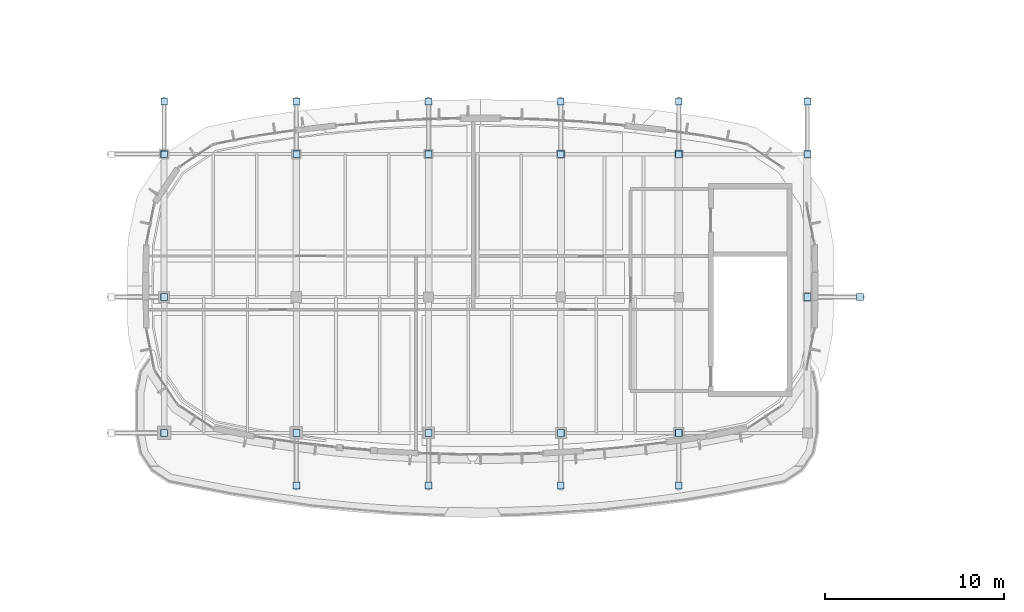
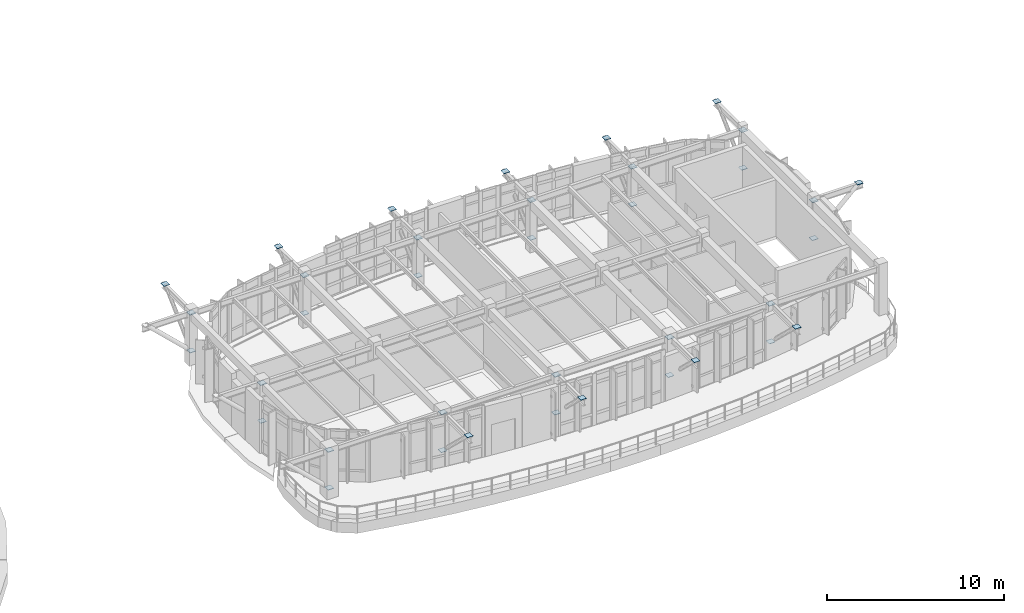
# One storey, part 79 of 105: 37 plates.
"""IFC4 building model written with IfcOpenShell, lengths in metres."""

from ifc_helpers import new_model, si_unit, direction, frame, origin, origin_2d, place, context, subcontext, project, spatial, rectangle, extrude, material, layer, layer_set, type_object, element, save


model = new_model("IFC4")

# Units and contexts
model_context = context("Model", 3, precision=1e-05, world=origin(), true_north=direction((0.0, 1.0)))
body_context = subcontext(model_context, "Body", "Model", "MODEL_VIEW")
ifc_project = project(units=[si_unit("LENGTHUNIT", "METRE"), si_unit("AREAUNIT", "SQUARE_METRE"), si_unit("VOLUMEUNIT", "CUBIC_METRE"), si_unit("PLANEANGLEUNIT", "RADIAN"), si_unit("MASSUNIT", "GRAM", prefix="KILO")], contexts=[model_context])

# Site, building, storey
site_placement = place(None, origin())
site = spatial("IfcSite", under=ifc_project, at=site_placement, CompositionType="ELEMENT")
building_placement = place(site_placement, origin())
building = spatial("IfcBuilding", under=site, at=building_placement, Name="Corveleigh Park Community Centre", CompositionType="ELEMENT")
storey_placement = place(building_placement, frame((0.0, 0.0, 8.699951171875)))
storey = spatial("IfcBuildingStorey", under=building, at=storey_placement, Name="L02", CompositionType="ELEMENT", Elevation=8.699951171875)

# Plates
ifc_material = material(Name="Steel S355", Category="steel")
ifc_layer = layer(ifc_material, 0.028076171875, Name="Steel S355", Category="steel")
ifc_layer_set = layer_set([ifc_layer], Name="Steel S355")
plate_type = type_object("IfcPlateType", Name="PLT-CAP-28", PredefinedType="SHEET", material=ifc_layer_set)
plate_1_placement = place(storey_placement, frame((72.0, 26.800048828125, 3.4521484375), z_axis=(0.0, 0.0, 1.0), x_axis=(1.0, 0.0, 0.0)))
element("IfcPlate", 1, at=plate_1_placement, inside=storey, type_object=plate_type, Name="V3 Pebble Overhang Strut 1-2 Outrigger pier end plate", PredefinedType="SHEET", context=body_context, shape_type="SweptSolid", body=[
    extrude(rectangle(XDim=0.39990234375, YDim=0.39990234375, at=origin_2d()), origin(), (0.0, 0.0, 1.0), 0.028076171875),
])
for number, where, z_axis, x_axis, name in (
    (2, (72.0, 26.800048828125, 0.8359375), (0.0, 0.0, 1.0), (1.0, 0.0, 0.0), "V3 Pebble Overhang Strut 1-2 base cap"),
    (3, (72.0, 29.743896484375, 3.64306640625), (0.0, 0.0, 1.0), (1.0, 0.0, 0.0), "V3 Pebble Overhang Strut 1-2 tip cap"),
):
    element("IfcPlate", number, at=place(storey_placement, frame(where, z_axis=z_axis, x_axis=x_axis)), inside=storey, type_object=plate_type, Name=name, PredefinedType="SHEET", context=body_context, shape_type="SweptSolid", body=[
        extrude(rectangle(XDim=0.3798828125, YDim=0.3798828125, at=origin_2d()), origin(), (0.0, 0.0, 1.0), 0.028076171875),
    ])
plate_2_placement = place(storey_placement, frame((79.39990234375, 11.199951171875, 3.4521484375), z_axis=(0.0, 0.0, 1.0), x_axis=(1.0, 0.0, 0.0)))
element("IfcPlate", 4, at=plate_2_placement, inside=storey, type_object=plate_type, Name="V3 Pebble Overhang Strut 2-0 Outrigger pier end plate", PredefinedType="SHEET", context=body_context, shape_type="SweptSolid", body=[
    extrude(rectangle(XDim=0.39990234375, YDim=0.39990234375, at=origin_2d()), origin(), (0.0, 0.0, 1.0), 0.028076171875),
])
for number, where, z_axis, x_axis, name in (
    (5, (79.39990234375, 11.199951171875, 0.8359375), (0.0, 0.0, 1.0), (1.0, 0.0, 0.0), "V3 Pebble Overhang Strut 2-0 base cap"),
    (6, (79.39990234375, 8.256103515625, 3.64306640625), (0.0, 0.0, 1.0), (1.0, 0.0, 0.0), "V3 Pebble Overhang Strut 2-0 tip cap"),
):
    element("IfcPlate", number, at=place(storey_placement, frame(where, z_axis=z_axis, x_axis=x_axis)), inside=storey, type_object=plate_type, Name=name, PredefinedType="SHEET", context=body_context, shape_type="SweptSolid", body=[
        extrude(rectangle(XDim=0.3798828125, YDim=0.3798828125, at=origin_2d()), origin(), (0.0, 0.0, 1.0), 0.028076171875),
    ])
plate_3_placement = place(storey_placement, frame((79.39990234375, 26.800048828125, 3.4521484375), z_axis=(0.0, 0.0, 1.0), x_axis=(1.0, 0.0, 0.0)))
element("IfcPlate", 7, at=plate_3_placement, inside=storey, type_object=plate_type, Name="V3 Pebble Overhang Strut 2-2 Outrigger pier end plate", PredefinedType="SHEET", context=body_context, shape_type="SweptSolid", body=[
    extrude(rectangle(XDim=0.39990234375, YDim=0.39990234375, at=origin_2d()), origin(), (0.0, 0.0, 1.0), 0.028076171875),
])
for number, where, z_axis, x_axis, name in (
    (8, (79.39990234375, 26.800048828125, 0.8359375), (0.0, 0.0, 1.0), (1.0, 0.0, 0.0), "V3 Pebble Overhang Strut 2-2 base cap"),
    (9, (79.39990234375, 29.743896484375, 3.64306640625), (0.0, 0.0, 1.0), (1.0, 0.0, 0.0), "V3 Pebble Overhang Strut 2-2 tip cap"),
):
    element("IfcPlate", number, at=place(storey_placement, frame(where, z_axis=z_axis, x_axis=x_axis)), inside=storey, type_object=plate_type, Name=name, PredefinedType="SHEET", context=body_context, shape_type="SweptSolid", body=[
        extrude(rectangle(XDim=0.3798828125, YDim=0.3798828125, at=origin_2d()), origin(), (0.0, 0.0, 1.0), 0.028076171875),
    ])
plate_4_placement = place(storey_placement, frame((86.800048828125, 11.199951171875, 3.4521484375), z_axis=(0.0, 0.0, 1.0), x_axis=(1.0, 0.0, 0.0)))
element("IfcPlate", 10, at=plate_4_placement, inside=storey, type_object=plate_type, Name="V3 Pebble Overhang Strut 3-0 Outrigger pier end plate", PredefinedType="SHEET", context=body_context, shape_type="SweptSolid", body=[
    extrude(rectangle(XDim=0.39990234375, YDim=0.39990234375, at=origin_2d()), origin(), (0.0, 0.0, 1.0), 0.028076171875),
])
for number, where, z_axis, x_axis, name in (
    (11, (86.800048828125, 11.199951171875, 0.8359375), (0.0, 0.0, 1.0), (1.0, 0.0, 0.0), "V3 Pebble Overhang Strut 3-0 base cap"),
    (12, (86.800048828125, 8.256103515625, 3.64306640625), (0.0, 0.0, 1.0), (1.0, 0.0, 0.0), "V3 Pebble Overhang Strut 3-0 tip cap"),
):
    element("IfcPlate", number, at=place(storey_placement, frame(where, z_axis=z_axis, x_axis=x_axis)), inside=storey, type_object=plate_type, Name=name, PredefinedType="SHEET", context=body_context, shape_type="SweptSolid", body=[
        extrude(rectangle(XDim=0.3798828125, YDim=0.3798828125, at=origin_2d()), origin(), (0.0, 0.0, 1.0), 0.028076171875),
    ])
plate_5_placement = place(storey_placement, frame((86.800048828125, 26.800048828125, 3.4521484375), z_axis=(0.0, 0.0, 1.0), x_axis=(1.0, 0.0, 0.0)))
element("IfcPlate", 13, at=plate_5_placement, inside=storey, type_object=plate_type, Name="V3 Pebble Overhang Strut 3-2 Outrigger pier end plate", PredefinedType="SHEET", context=body_context, shape_type="SweptSolid", body=[
    extrude(rectangle(XDim=0.39990234375, YDim=0.39990234375, at=origin_2d()), origin(), (0.0, 0.0, 1.0), 0.028076171875),
])
for number, where, z_axis, x_axis, name in (
    (14, (86.800048828125, 26.800048828125, 0.8359375), (0.0, 0.0, 1.0), (1.0, 0.0, 0.0), "V3 Pebble Overhang Strut 3-2 base cap"),
    (15, (86.800048828125, 29.743896484375, 3.64306640625), (0.0, 0.0, 1.0), (1.0, 0.0, 0.0), "V3 Pebble Overhang Strut 3-2 tip cap"),
):
    element("IfcPlate", number, at=place(storey_placement, frame(where, z_axis=z_axis, x_axis=x_axis)), inside=storey, type_object=plate_type, Name=name, PredefinedType="SHEET", context=body_context, shape_type="SweptSolid", body=[
        extrude(rectangle(XDim=0.3798828125, YDim=0.3798828125, at=origin_2d()), origin(), (0.0, 0.0, 1.0), 0.028076171875),
    ])
plate_6_placement = place(storey_placement, frame((94.199951171875, 11.199951171875, 3.4521484375), z_axis=(0.0, 0.0, 1.0), x_axis=(1.0, 0.0, 0.0)))
element("IfcPlate", 16, at=plate_6_placement, inside=storey, type_object=plate_type, Name="V3 Pebble Overhang Strut 4-0 Outrigger pier end plate", PredefinedType="SHEET", context=body_context, shape_type="SweptSolid", body=[
    extrude(rectangle(XDim=0.39990234375, YDim=0.39990234375, at=origin_2d()), origin(), (0.0, 0.0, 1.0), 0.028076171875),
])
for number, where, z_axis, x_axis, name in (
    (17, (94.199951171875, 11.199951171875, 0.8359375), (0.0, 0.0, 1.0), (1.0, 0.0, 0.0), "V3 Pebble Overhang Strut 4-0 base cap"),
    (18, (94.199951171875, 8.256103515625, 3.64306640625), (0.0, 0.0, 1.0), (1.0, 0.0, 0.0), "V3 Pebble Overhang Strut 4-0 tip cap"),
):
    element("IfcPlate", number, at=place(storey_placement, frame(where, z_axis=z_axis, x_axis=x_axis)), inside=storey, type_object=plate_type, Name=name, PredefinedType="SHEET", context=body_context, shape_type="SweptSolid", body=[
        extrude(rectangle(XDim=0.3798828125, YDim=0.3798828125, at=origin_2d()), origin(), (0.0, 0.0, 1.0), 0.028076171875),
    ])
plate_7_placement = place(storey_placement, frame((94.199951171875, 26.800048828125, 3.4521484375), z_axis=(0.0, 0.0, 1.0), x_axis=(1.0, 0.0, 0.0)))
element("IfcPlate", 19, at=plate_7_placement, inside=storey, type_object=plate_type, Name="V3 Pebble Overhang Strut 4-2 Outrigger pier end plate", PredefinedType="SHEET", context=body_context, shape_type="SweptSolid", body=[
    extrude(rectangle(XDim=0.39990234375, YDim=0.39990234375, at=origin_2d()), origin(), (0.0, 0.0, 1.0), 0.028076171875),
])
for number, where, z_axis, x_axis, name in (
    (20, (94.199951171875, 26.800048828125, 0.8359375), (0.0, 0.0, 1.0), (1.0, 0.0, 0.0), "V3 Pebble Overhang Strut 4-2 base cap"),
    (21, (94.199951171875, 29.743896484375, 3.64306640625), (0.0, 0.0, 1.0), (1.0, 0.0, 0.0), "V3 Pebble Overhang Strut 4-2 tip cap"),
):
    element("IfcPlate", number, at=place(storey_placement, frame(where, z_axis=z_axis, x_axis=x_axis)), inside=storey, type_object=plate_type, Name=name, PredefinedType="SHEET", context=body_context, shape_type="SweptSolid", body=[
        extrude(rectangle(XDim=0.3798828125, YDim=0.3798828125, at=origin_2d()), origin(), (0.0, 0.0, 1.0), 0.028076171875),
    ])
plate_8_placement = place(storey_placement, frame((100.800048828125, 11.199951171875, 3.4521484375), z_axis=(0.0, 0.0, 1.0), x_axis=(1.0, 0.0, 0.0)))
element("IfcPlate", 22, at=plate_8_placement, inside=storey, type_object=plate_type, Name="V3 Pebble Overhang Strut 5-0 Outrigger pier end plate", PredefinedType="SHEET", context=body_context, shape_type="SweptSolid", body=[
    extrude(rectangle(XDim=0.39990234375, YDim=0.39990234375, at=origin_2d()), origin(), (0.0, 0.0, 1.0), 0.028076171875),
])
for number, where, z_axis, x_axis, name in (
    (23, (100.800048828125, 11.199951171875, 0.8359375), (0.0, 0.0, 1.0), (1.0, 0.0, 0.0), "V3 Pebble Overhang Strut 5-0 base cap"),
    (24, (100.800048828125, 8.256103515625, 3.64306640625), (0.0, 0.0, 1.0), (1.0, 0.0, 0.0), "V3 Pebble Overhang Strut 5-0 tip cap"),
):
    element("IfcPlate", number, at=place(storey_placement, frame(where, z_axis=z_axis, x_axis=x_axis)), inside=storey, type_object=plate_type, Name=name, PredefinedType="SHEET", context=body_context, shape_type="SweptSolid", body=[
        extrude(rectangle(XDim=0.3798828125, YDim=0.3798828125, at=origin_2d()), origin(), (0.0, 0.0, 1.0), 0.028076171875),
    ])
plate_9_placement = place(storey_placement, frame((100.800048828125, 26.800048828125, 3.4521484375), z_axis=(0.0, 0.0, 1.0), x_axis=(1.0, 0.0, 0.0)))
element("IfcPlate", 25, at=plate_9_placement, inside=storey, type_object=plate_type, Name="V3 Pebble Overhang Strut 5-2 Outrigger pier end plate", PredefinedType="SHEET", context=body_context, shape_type="SweptSolid", body=[
    extrude(rectangle(XDim=0.39990234375, YDim=0.39990234375, at=origin_2d()), origin(), (0.0, 0.0, 1.0), 0.028076171875),
])
for number, where, z_axis, x_axis, name in (
    (26, (100.800048828125, 26.800048828125, 0.8359375), (0.0, 0.0, 1.0), (1.0, 0.0, 0.0), "V3 Pebble Overhang Strut 5-2 base cap"),
    (27, (100.800048828125, 29.743896484375, 3.64306640625), (0.0, 0.0, 1.0), (1.0, 0.0, 0.0), "V3 Pebble Overhang Strut 5-2 tip cap"),
):
    element("IfcPlate", number, at=place(storey_placement, frame(where, z_axis=z_axis, x_axis=x_axis)), inside=storey, type_object=plate_type, Name=name, PredefinedType="SHEET", context=body_context, shape_type="SweptSolid", body=[
        extrude(rectangle(XDim=0.3798828125, YDim=0.3798828125, at=origin_2d()), origin(), (0.0, 0.0, 1.0), 0.028076171875),
    ])
plate_10_placement = place(storey_placement, frame((108.0, 26.800048828125, 3.4521484375), z_axis=(0.0, 0.0, 1.0), x_axis=(1.0, 0.0, 0.0)))
element("IfcPlate", 28, at=plate_10_placement, inside=storey, type_object=plate_type, Name="V3 Pebble Overhang Strut 6-2 Outrigger pier end plate", PredefinedType="SHEET", context=body_context, shape_type="SweptSolid", body=[
    extrude(rectangle(XDim=0.39990234375, YDim=0.39990234375, at=origin_2d()), origin(), (0.0, 0.0, 1.0), 0.028076171875),
])
for number, where, z_axis, x_axis, name in (
    (29, (108.0, 26.800048828125, 0.8359375), (0.0, 0.0, 1.0), (1.0, 0.0, 0.0), "V3 Pebble Overhang Strut 6-2 base cap"),
    (30, (108.0, 29.743896484375, 3.64306640625), (0.0, 0.0, 1.0), (1.0, 0.0, 0.0), "V3 Pebble Overhang Strut 6-2 tip cap"),
):
    element("IfcPlate", number, at=place(storey_placement, frame(where, z_axis=z_axis, x_axis=x_axis)), inside=storey, type_object=plate_type, Name=name, PredefinedType="SHEET", context=body_context, shape_type="SweptSolid", body=[
        extrude(rectangle(XDim=0.3798828125, YDim=0.3798828125, at=origin_2d()), origin(), (0.0, 0.0, 1.0), 0.028076171875),
    ])
plate_11_placement = place(storey_placement, frame((72.0, 11.199951171875, 3.4521484375), z_axis=(0.0, 0.0, 1.0), x_axis=(1.0, 0.0, 0.0)))
element("IfcPlate", 31, at=plate_11_placement, inside=storey, type_object=plate_type, Name="V3 End Pebble Overhang Strut 0-0 Outrigger pier end plate", PredefinedType="SHEET", context=body_context, shape_type="SweptSolid", body=[
    extrude(rectangle(XDim=0.39990234375, YDim=0.39990234375, at=origin_2d()), origin(), (0.0, 0.0, 1.0), 0.028076171875),
])
plate_12_placement = place(storey_placement, frame((72.0, 11.199951171875, 0.8359375), z_axis=(0.0, 0.0, 1.0), x_axis=(1.0, 0.0, 0.0)))
element("IfcPlate", 32, at=plate_12_placement, inside=storey, type_object=plate_type, Name="V3 End Pebble Overhang Strut 0-0 base cap", PredefinedType="SHEET", context=body_context, shape_type="SweptSolid", body=[
    extrude(rectangle(XDim=0.3798828125, YDim=0.3798828125, at=origin_2d()), origin(), (0.0, 0.0, 1.0), 0.028076171875),
])
plate_13_placement = place(storey_placement, frame((72.0, 18.800048828125, 3.4521484375), z_axis=(0.0, 0.0, 1.0), x_axis=(1.0, 0.0, 0.0)))
element("IfcPlate", 33, at=plate_13_placement, inside=storey, type_object=plate_type, Name="V3 End Pebble Overhang Strut 0-1 Outrigger pier end plate", PredefinedType="SHEET", context=body_context, shape_type="SweptSolid", body=[
    extrude(rectangle(XDim=0.39990234375, YDim=0.39990234375, at=origin_2d()), origin(), (0.0, 0.0, 1.0), 0.028076171875),
])
plate_14_placement = place(storey_placement, frame((72.0, 18.800048828125, 0.8359375), z_axis=(0.0, 0.0, 1.0), x_axis=(1.0, 0.0, 0.0)))
element("IfcPlate", 34, at=plate_14_placement, inside=storey, type_object=plate_type, Name="V3 End Pebble Overhang Strut 0-1 base cap", PredefinedType="SHEET", context=body_context, shape_type="SweptSolid", body=[
    extrude(rectangle(XDim=0.3798828125, YDim=0.3798828125, at=origin_2d()), origin(), (0.0, 0.0, 1.0), 0.028076171875),
])
plate_15_placement = place(storey_placement, frame((108.0, 18.800048828125, 3.4521484375), z_axis=(0.0, 0.0, 1.0), x_axis=(1.0, 0.0, 0.0)))
element("IfcPlate", 35, at=plate_15_placement, inside=storey, type_object=plate_type, Name="V3 End Pebble Overhang Strut 5-1 Outrigger pier end plate", PredefinedType="SHEET", context=body_context, shape_type="SweptSolid", body=[
    extrude(rectangle(XDim=0.39990234375, YDim=0.39990234375, at=origin_2d()), origin(), (0.0, 0.0, 1.0), 0.028076171875),
])
for number, where, z_axis, x_axis, name in (
    (36, (108.0, 18.800048828125, 0.8359375), (0.0, 0.0, 1.0), (1.0, 0.0, 0.0), "V3 End Pebble Overhang Strut 5-1 base cap"),
    (37, (110.944091796875, 18.800048828125, 3.64306640625), (0.0, 0.0, 1.0), (1.0, 0.0, 0.0), "V3 End Pebble Overhang Strut 5-1 tip cap"),
):
    element("IfcPlate", number, at=place(storey_placement, frame(where, z_axis=z_axis, x_axis=x_axis)), inside=storey, type_object=plate_type, Name=name, PredefinedType="SHEET", context=body_context, shape_type="SweptSolid", body=[
        extrude(rectangle(XDim=0.3798828125, YDim=0.3798828125, at=origin_2d()), origin(), (0.0, 0.0, 1.0), 0.028076171875),
    ])

save(model, "model.ifc")
